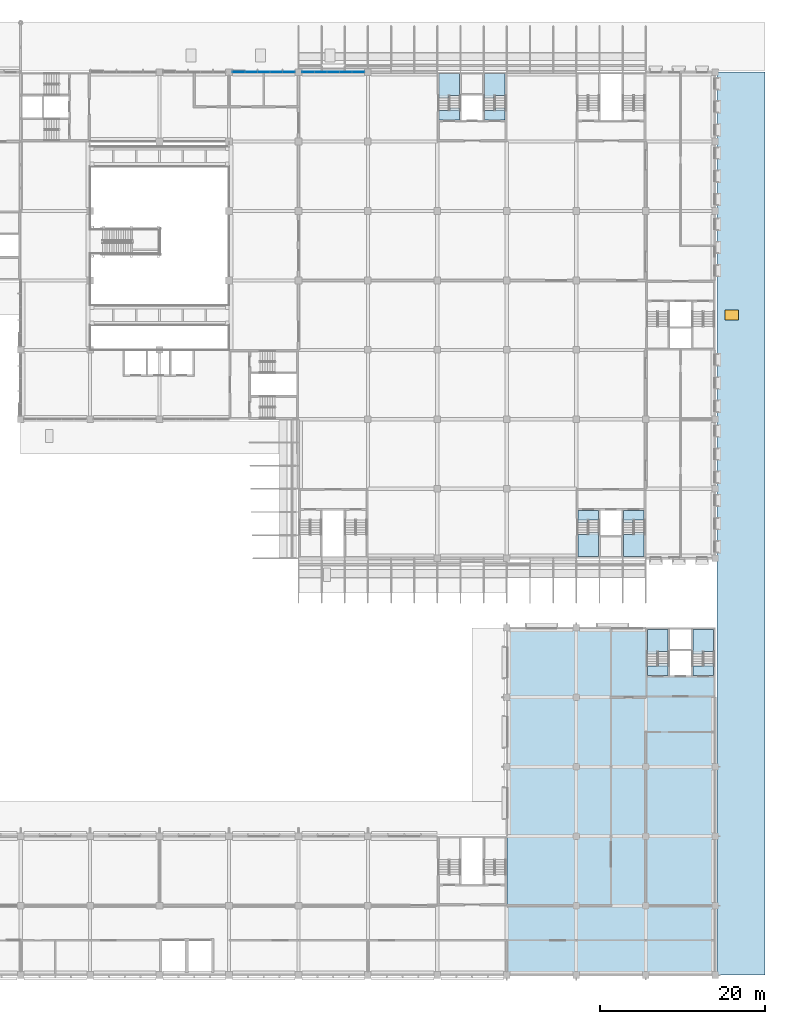
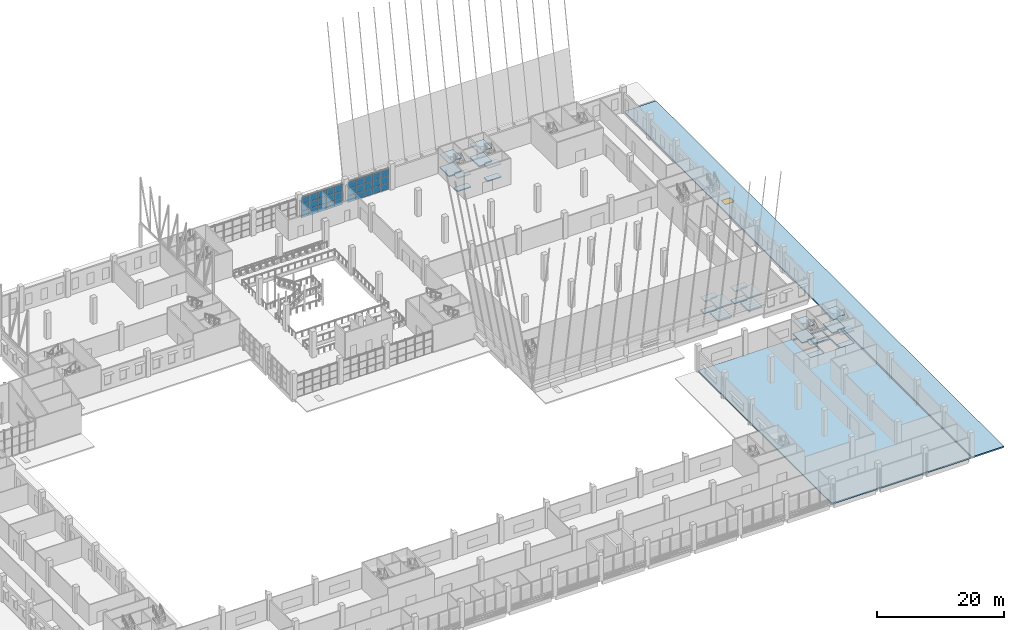
# One storey, part 26 of 101: 30 plates, 26 slabs, 1 window, 1 opening, 8 elements without a shape of their own.
"""IFC4 building model written with IfcOpenShell, lengths in metres."""

from ifc_helpers import new_model, si_unit, direction, frame, origin, origin_2d, place, context, subcontext, project, spatial, polyline, rectangle, outline, extrude, material, layer, layer_set, type_object, element, fill, aggregate, save


model = new_model("IFC4")

# Units and contexts
model_context = context("Model", 3, precision=1e-05, world=origin(), true_north=direction((0.0, 1.0)))
body_context = subcontext(model_context, "Body", "Model", "MODEL_VIEW")
ifc_project = project(units=[si_unit("LENGTHUNIT", "METRE"), si_unit("AREAUNIT", "SQUARE_METRE"), si_unit("VOLUMEUNIT", "CUBIC_METRE"), si_unit("PLANEANGLEUNIT", "RADIAN"), si_unit("MASSUNIT", "GRAM", prefix="KILO")], contexts=[model_context])

# Site, building, storey
site_placement = place(None, origin())
site = spatial("IfcSite", under=ifc_project, at=site_placement, CompositionType="ELEMENT")
building_placement = place(site_placement, origin())
building = spatial("IfcBuilding", under=site, at=building_placement, Name="Almond Square Museum", CompositionType="ELEMENT")
storey_placement = place(building_placement, frame((0.0, 0.0, 5.5)))
storey = spatial("IfcBuildingStorey", under=building, at=storey_placement, Name="L01", CompositionType="ELEMENT", Elevation=5.5)

# Slab, opening, window
ifc_material_1 = material(Name="Timber deck and membrane roofing", Category="wood")
ifc_layer_1 = layer(ifc_material_1, 0.25)
ifc_layer_set_1 = layer_set([ifc_layer_1], Name="Timber deck and membrane roofing")
slab_type_1 = type_object("IfcSlabType", Name="Arcade roof covering 250", PredefinedType="ROOF", material=ifc_layer_set_1)
slab_1_placement = place(storey_placement, frame((0.0, 0.0, -0.25)))
slab_1 = element("IfcSlab", 1, at=slab_1_placement, inside=storey, type_object=slab_type_1, Name="Roof covering Arc East", PredefinedType="ROOF", context=body_context, shape_type="SweptSolid", body=[
    extrude(outline(polyline([(163.199951171875, 0.0), (163.199951171875, 109.199951171875), (157.419921875, 109.199951171875), (157.419921875, 0.0), (163.199951171875, 0.0)])), origin(), (0.0, 0.0, 1.0), 0.25),
])
opening_placement = place(slab_1_placement, frame((159.199951171875, 79.800048828125, -0.010009765625)))
opening = element("IfcOpeningElement", 2, at=opening_placement, cuts=slab_1, Name="Opening RL310", PredefinedType="OPENING", context=body_context, shape_type="SweptSolid", body=[
    extrude(rectangle(XDim=1.60009765625, YDim=1.199951171875, at=origin_2d()), origin(), (0.0, 0.0, 1.0), 0.27001953125),
])
ifc_material_2 = material(Name="Aluminium frame and laminated glass", Category="aluminium")
window_type = type_object("IfcWindowType", Name="Entrance rooflight 1200 x 1600", PartitioningType="SINGLE_PANEL", PredefinedType="SKYLIGHT", material=ifc_material_2)
window_placement = place(opening_placement, frame((0.0, 0.0, 0.2099609375)))
window = element("IfcWindow", 3, at=window_placement, inside=storey, type_object=window_type, Name="Rooflight", OverallHeight=1.199951171875, OverallWidth=1.60009765625, PartitioningType="SINGLE_PANEL", PredefinedType="SKYLIGHT", context=body_context, shape_type="SweptSolid", body=[
    extrude(rectangle(XDim=1.60009765625, YDim=1.199951171875, at=origin_2d()), origin(), (0.0, 0.0, 1.0), 0.050048828125),
])
fill(opening, window)

# Stair, slabs
ifc_material_3 = material(Name="Concrete C40/50", Category="concrete")
stair_type = type_object("IfcStairType", Name="Exit stair 28 risers of 179 mm", PredefinedType="HALF_TURN_STAIR", material=ifc_material_3)
stair_1_placement = place(storey_placement, origin())
stair_1 = element("IfcStair", 4, at=stair_1_placement, inside=storey, type_object=stair_type, Name="L01 stair H2-1", PredefinedType="HALF_TURN_STAIR")
ifc_material_4 = material(Name="Concrete C40/50", Category="concrete")
ifc_layer_2 = layer(ifc_material_4, 0.199951171875)
ifc_layer_set_2 = layer_set([ifc_layer_2], Name="Concrete C40/50")
slab_type_2 = type_object("IfcSlabType", Name="Concrete stair landing 200", PredefinedType="LANDING", material=ifc_layer_set_2)
slab_2_placement = place(storey_placement, frame((0.0, 0.0, 1.050048828125)))
slab_2 = element("IfcSlab", 5, at=slab_2_placement, type_object=slab_type_2, Name="ST-03 landing 1", PredefinedType="LANDING", context=body_context, shape_type="SweptSolid", body=[
    extrude(outline(polyline([(140.60009765625, 53.2529296875), (140.60009765625, 50.60009765625), (143.10009765625, 50.60009765625), (143.10009765625, 53.550048828125), (141.949951171875, 53.550048828125), (141.949951171875, 53.2529296875), (140.60009765625, 53.2529296875)])), origin(), (0.0, 0.0, 1.0), 0.199951171875),
])
slab_3_placement = place(storey_placement, frame((0.0, 0.0, 2.300048828125)))
slab_3 = element("IfcSlab", 6, at=slab_3_placement, type_object=slab_type_2, Name="ST-03 landing 2", PredefinedType="LANDING", context=body_context, shape_type="SweptSolid", body=[
    extrude(outline(polyline([(140.60009765625, 56.199951171875), (140.60009765625, 55.050048828125), (140.60009765625, 54.75), (141.75, 54.75), (141.75, 55.047119140625), (143.10009765625, 55.047119140625), (143.10009765625, 56.199951171875), (140.60009765625, 56.199951171875)])), origin(), (0.0, 0.0, 1.0), 0.199951171875),
])
slab_4_placement = place(storey_placement, frame((0.0, 0.0, 3.550048828125)))
slab_4 = element("IfcSlab", 7, at=slab_4_placement, type_object=slab_type_2, Name="ST-03 landing 3", PredefinedType="LANDING", context=body_context, shape_type="SweptSolid", body=[
    extrude(outline(polyline([(140.60009765625, 53.2529296875), (140.60009765625, 50.60009765625), (143.10009765625, 50.60009765625), (143.10009765625, 53.550048828125), (141.949951171875, 53.550048828125), (141.949951171875, 53.2529296875), (140.60009765625, 53.2529296875)])), origin(), (0.0, 0.0, 1.0), 0.199951171875),
])
aggregate(stair_1, [slab_2, slab_3, slab_4])

stair_2_placement = place(storey_placement, origin())
stair_2 = element("IfcStair", 8, at=stair_2_placement, inside=storey, type_object=stair_type, Name="L01 stair H2-2", PredefinedType="HALF_TURN_STAIR")
slab_5_placement = place(storey_placement, frame((0.0, 0.0, 1.050048828125)))
slab_5 = element("IfcSlab", 9, at=slab_5_placement, type_object=slab_type_2, Name="ST-04 landing 1", PredefinedType="LANDING", context=body_context, shape_type="SweptSolid", body=[
    extrude(outline(polyline([(146.10009765625, 53.2529296875), (146.10009765625, 50.60009765625), (148.60009765625, 50.60009765625), (148.60009765625, 53.550048828125), (147.449951171875, 53.550048828125), (147.449951171875, 53.2529296875), (146.10009765625, 53.2529296875)])), origin(), (0.0, 0.0, 1.0), 0.199951171875),
])
slab_6_placement = place(storey_placement, frame((0.0, 0.0, 2.300048828125)))
slab_6 = element("IfcSlab", 10, at=slab_6_placement, type_object=slab_type_2, Name="ST-04 landing 2", PredefinedType="LANDING", context=body_context, shape_type="SweptSolid", body=[
    extrude(outline(polyline([(146.10009765625, 56.199951171875), (146.10009765625, 55.050048828125), (146.10009765625, 54.75), (147.25, 54.75), (147.25, 55.047119140625), (148.60009765625, 55.047119140625), (148.60009765625, 56.199951171875), (146.10009765625, 56.199951171875)])), origin(), (0.0, 0.0, 1.0), 0.199951171875),
])
slab_7_placement = place(storey_placement, frame((0.0, 0.0, 3.550048828125)))
slab_7 = element("IfcSlab", 11, at=slab_7_placement, type_object=slab_type_2, Name="ST-04 landing 3", PredefinedType="LANDING", context=body_context, shape_type="SweptSolid", body=[
    extrude(outline(polyline([(146.10009765625, 53.2529296875), (146.10009765625, 50.60009765625), (148.60009765625, 50.60009765625), (148.60009765625, 53.550048828125), (147.449951171875, 53.550048828125), (147.449951171875, 53.2529296875), (146.10009765625, 53.2529296875)])), origin(), (0.0, 0.0, 1.0), 0.199951171875),
])
aggregate(stair_2, [slab_5, slab_6, slab_7])

stair_3_placement = place(storey_placement, origin())
stair_3 = element("IfcStair", 12, at=stair_3_placement, inside=storey, type_object=stair_type, Name="L01 stair H4-1", PredefinedType="HALF_TURN_STAIR")
slab_8_placement = place(storey_placement, frame((0.0, 0.0, 1.050048828125)))
slab_8 = element("IfcSlab", 13, at=slab_8_placement, type_object=slab_type_2, Name="ST-07 landing 1", PredefinedType="LANDING", context=body_context, shape_type="SweptSolid", body=[
    extrude(outline(polyline([(126.300048828125, 106.346923828125), (126.300048828125, 109.0), (123.800048828125, 109.0), (123.800048828125, 106.050048828125), (124.949951171875, 106.050048828125), (124.949951171875, 106.346923828125), (126.300048828125, 106.346923828125)])), origin(), (0.0, 0.0, 1.0), 0.199951171875),
])
slab_9_placement = place(storey_placement, frame((0.0, 0.0, 2.300048828125)))
slab_9 = element("IfcSlab", 14, at=slab_9_placement, type_object=slab_type_2, Name="ST-07 landing 2", PredefinedType="LANDING", context=body_context, shape_type="SweptSolid", body=[
    extrude(outline(polyline([(126.300048828125, 103.39990234375), (126.300048828125, 104.550048828125), (126.300048828125, 104.85009765625), (125.14990234375, 104.85009765625), (125.14990234375, 104.552978515625), (123.800048828125, 104.552978515625), (123.800048828125, 103.39990234375), (126.300048828125, 103.39990234375)])), origin(), (0.0, 0.0, 1.0), 0.199951171875),
])
slab_10_placement = place(storey_placement, frame((0.0, 0.0, 3.550048828125)))
slab_10 = element("IfcSlab", 15, at=slab_10_placement, type_object=slab_type_2, Name="ST-07 landing 3", PredefinedType="LANDING", context=body_context, shape_type="SweptSolid", body=[
    extrude(outline(polyline([(126.300048828125, 106.346923828125), (126.300048828125, 109.0), (123.800048828125, 109.0), (123.800048828125, 106.050048828125), (124.949951171875, 106.050048828125), (124.949951171875, 106.346923828125), (126.300048828125, 106.346923828125)])), origin(), (0.0, 0.0, 1.0), 0.199951171875),
])
aggregate(stair_3, [slab_8, slab_9, slab_10])

stair_4_placement = place(storey_placement, origin())
stair_4 = element("IfcStair", 16, at=stair_4_placement, inside=storey, type_object=stair_type, Name="L01 stair H4-2", PredefinedType="HALF_TURN_STAIR")
slab_11_placement = place(storey_placement, frame((0.0, 0.0, 1.050048828125)))
slab_11 = element("IfcSlab", 17, at=slab_11_placement, type_object=slab_type_2, Name="ST-08 landing 1", PredefinedType="LANDING", context=body_context, shape_type="SweptSolid", body=[
    extrude(outline(polyline([(131.800048828125, 106.346923828125), (131.800048828125, 109.0), (129.300048828125, 109.0), (129.300048828125, 106.050048828125), (130.449951171875, 106.050048828125), (130.449951171875, 106.346923828125), (131.800048828125, 106.346923828125)])), origin(), (0.0, 0.0, 1.0), 0.199951171875),
])
slab_12_placement = place(storey_placement, frame((0.0, 0.0, 2.300048828125)))
slab_12 = element("IfcSlab", 18, at=slab_12_placement, type_object=slab_type_2, Name="ST-08 landing 2", PredefinedType="LANDING", context=body_context, shape_type="SweptSolid", body=[
    extrude(outline(polyline([(131.800048828125, 103.39990234375), (131.800048828125, 104.550048828125), (131.800048828125, 104.85009765625), (130.64990234375, 104.85009765625), (130.64990234375, 104.552978515625), (129.300048828125, 104.552978515625), (129.300048828125, 103.39990234375), (131.800048828125, 103.39990234375)])), origin(), (0.0, 0.0, 1.0), 0.199951171875),
])
slab_13_placement = place(storey_placement, frame((0.0, 0.0, 3.550048828125)))
slab_13 = element("IfcSlab", 19, at=slab_13_placement, type_object=slab_type_2, Name="ST-08 landing 3", PredefinedType="LANDING", context=body_context, shape_type="SweptSolid", body=[
    extrude(outline(polyline([(131.800048828125, 106.346923828125), (131.800048828125, 109.0), (129.300048828125, 109.0), (129.300048828125, 106.050048828125), (130.449951171875, 106.050048828125), (130.449951171875, 106.346923828125), (131.800048828125, 106.346923828125)])), origin(), (0.0, 0.0, 1.0), 0.199951171875),
])
aggregate(stair_4, [slab_11, slab_12, slab_13])

stair_5_placement = place(storey_placement, origin())
stair_5 = element("IfcStair", 20, at=stair_5_placement, inside=storey, type_object=stair_type, Name="L01 stair X1-1", PredefinedType="HALF_TURN_STAIR")
slab_14_placement = place(storey_placement, frame((0.0, 0.0, 1.050048828125)))
slab_14 = element("IfcSlab", 21, at=slab_14_placement, type_object=slab_type_2, Name="ST-33 landing 1", PredefinedType="LANDING", context=body_context, shape_type="SweptSolid", body=[
    extrude(outline(polyline([(151.5, 39.14697265625), (151.5, 41.800048828125), (149.0, 41.800048828125), (149.0, 38.85009765625), (150.14990234375, 38.85009765625), (150.14990234375, 39.14697265625), (151.5, 39.14697265625)])), origin(), (0.0, 0.0, 1.0), 0.199951171875),
])
slab_15_placement = place(storey_placement, frame((0.0, 0.0, 2.300048828125)))
slab_15 = element("IfcSlab", 22, at=slab_15_placement, type_object=slab_type_2, Name="ST-33 landing 2", PredefinedType="LANDING", context=body_context, shape_type="SweptSolid", body=[
    extrude(outline(polyline([(151.5, 36.199951171875), (151.5, 37.35009765625), (151.5, 37.64990234375), (150.35009765625, 37.64990234375), (150.35009765625, 37.35302734375), (149.0, 37.35302734375), (149.0, 36.199951171875), (151.5, 36.199951171875)])), origin(), (0.0, 0.0, 1.0), 0.199951171875),
])
slab_16_placement = place(storey_placement, frame((0.0, 0.0, 3.550048828125)))
slab_16 = element("IfcSlab", 23, at=slab_16_placement, type_object=slab_type_2, Name="ST-33 landing 3", PredefinedType="LANDING", context=body_context, shape_type="SweptSolid", body=[
    extrude(outline(polyline([(151.5, 39.14697265625), (151.5, 41.800048828125), (149.0, 41.800048828125), (149.0, 38.85009765625), (150.14990234375, 38.85009765625), (150.14990234375, 39.14697265625), (151.5, 39.14697265625)])), origin(), (0.0, 0.0, 1.0), 0.199951171875),
])
aggregate(stair_5, [slab_14, slab_15, slab_16])

stair_6_placement = place(storey_placement, origin())
stair_6 = element("IfcStair", 24, at=stair_6_placement, inside=storey, type_object=stair_type, Name="L01 stair X1-2", PredefinedType="HALF_TURN_STAIR")
slab_17_placement = place(storey_placement, frame((0.0, 0.0, 1.050048828125)))
slab_17 = element("IfcSlab", 25, at=slab_17_placement, type_object=slab_type_2, Name="ST-34 landing 1", PredefinedType="LANDING", context=body_context, shape_type="SweptSolid", body=[
    extrude(outline(polyline([(157.0, 39.14697265625), (157.0, 41.800048828125), (154.5, 41.800048828125), (154.5, 38.85009765625), (155.64990234375, 38.85009765625), (155.64990234375, 39.14697265625), (157.0, 39.14697265625)])), origin(), (0.0, 0.0, 1.0), 0.199951171875),
])
slab_18_placement = place(storey_placement, frame((0.0, 0.0, 2.300048828125)))
slab_18 = element("IfcSlab", 26, at=slab_18_placement, type_object=slab_type_2, Name="ST-34 landing 2", PredefinedType="LANDING", context=body_context, shape_type="SweptSolid", body=[
    extrude(outline(polyline([(157.0, 36.199951171875), (157.0, 37.35009765625), (157.0, 37.64990234375), (155.85009765625, 37.64990234375), (155.85009765625, 37.35302734375), (154.5, 37.35302734375), (154.5, 36.199951171875), (157.0, 36.199951171875)])), origin(), (0.0, 0.0, 1.0), 0.199951171875),
])
slab_19_placement = place(storey_placement, frame((0.0, 0.0, 3.550048828125)))
slab_19 = element("IfcSlab", 27, at=slab_19_placement, type_object=slab_type_2, Name="ST-34 landing 3", PredefinedType="LANDING", context=body_context, shape_type="SweptSolid", body=[
    extrude(outline(polyline([(157.0, 39.14697265625), (157.0, 41.800048828125), (154.5, 41.800048828125), (154.5, 38.85009765625), (155.64990234375, 38.85009765625), (155.64990234375, 39.14697265625), (157.0, 39.14697265625)])), origin(), (0.0, 0.0, 1.0), 0.199951171875),
])
aggregate(stair_6, [slab_17, slab_18, slab_19])

# Slabs
slab_20_placement = place(storey_placement, frame((0.0, 0.0, -0.199951171875)))
element("IfcSlab", 28, at=slab_20_placement, inside=storey, type_object=slab_type_2, Name="L01 stair H2-1 floor landing", PredefinedType="LANDING", context=body_context, shape_type="SweptSolid", body=[
    extrude(outline(polyline([(140.60009765625, 55.047119140625), (143.10009765625, 55.047119140625), (143.10009765625, 56.199951171875), (140.60009765625, 56.199951171875), (140.60009765625, 55.047119140625)])), origin(), (0.0, 0.0, 1.0), 0.199951171875),
])
slab_21_placement = place(storey_placement, frame((0.0, 0.0, -0.199951171875)))
element("IfcSlab", 29, at=slab_21_placement, inside=storey, type_object=slab_type_2, Name="L01 stair H2-2 floor landing", PredefinedType="LANDING", context=body_context, shape_type="SweptSolid", body=[
    extrude(outline(polyline([(146.10009765625, 55.047119140625), (148.60009765625, 55.047119140625), (148.60009765625, 56.199951171875), (146.10009765625, 56.199951171875), (146.10009765625, 55.047119140625)])), origin(), (0.0, 0.0, 1.0), 0.199951171875),
])
slab_22_placement = place(storey_placement, frame((0.0, 0.0, -0.199951171875)))
element("IfcSlab", 30, at=slab_22_placement, inside=storey, type_object=slab_type_2, Name="L01 stair H4-1 floor landing", PredefinedType="LANDING", context=body_context, shape_type="SweptSolid", body=[
    extrude(outline(polyline([(123.800048828125, 103.39990234375), (126.300048828125, 103.39990234375), (126.300048828125, 104.552978515625), (123.800048828125, 104.552978515625), (123.800048828125, 103.39990234375)])), origin(), (0.0, 0.0, 1.0), 0.199951171875),
])
slab_23_placement = place(storey_placement, frame((0.0, 0.0, -0.199951171875)))
element("IfcSlab", 31, at=slab_23_placement, inside=storey, type_object=slab_type_2, Name="L01 stair H4-2 floor landing", PredefinedType="LANDING", context=body_context, shape_type="SweptSolid", body=[
    extrude(outline(polyline([(129.300048828125, 103.39990234375), (131.800048828125, 103.39990234375), (131.800048828125, 104.552978515625), (129.300048828125, 104.552978515625), (129.300048828125, 103.39990234375)])), origin(), (0.0, 0.0, 1.0), 0.199951171875),
])
slab_24_placement = place(storey_placement, frame((0.0, 0.0, -0.199951171875)))
element("IfcSlab", 32, at=slab_24_placement, inside=storey, type_object=slab_type_2, Name="L01 stair X1-1 floor landing", PredefinedType="LANDING", context=body_context, shape_type="SweptSolid", body=[
    extrude(outline(polyline([(149.0, 36.199951171875), (151.5, 36.199951171875), (151.5, 37.35302734375), (149.0, 37.35302734375), (149.0, 36.199951171875)])), origin(), (0.0, 0.0, 1.0), 0.199951171875),
])
slab_25_placement = place(storey_placement, frame((0.0, 0.0, -0.199951171875)))
element("IfcSlab", 33, at=slab_25_placement, inside=storey, type_object=slab_type_2, Name="L01 stair X1-2 floor landing", PredefinedType="LANDING", context=body_context, shape_type="SweptSolid", body=[
    extrude(outline(polyline([(154.5, 36.199951171875), (157.0, 36.199951171875), (157.0, 37.35302734375), (154.5, 37.35302734375), (154.5, 36.199951171875)])), origin(), (0.0, 0.0, 1.0), 0.199951171875),
])

# Curtain wall, plates
ifc_material_5 = material(Name="Aluminium and laminated glass", Category="aluminium")
curtain_wall_type = type_object("IfcCurtainWallType", Name="Unitised curtain wall 1500 module", PredefinedType="NOTDEFINED", material=ifc_material_5)
curtain_wall_1_placement = place(storey_placement, origin())
curtain_wall_1 = element("IfcCurtainWall", 34, at=curtain_wall_1_placement, inside=storey, type_object=curtain_wall_type, Name="Curtain wall CW-07", PredefinedType="NOTDEFINED")
ifc_material_6 = material(Name="Laminated hurricane-rated glass", Category="glass")
ifc_layer_3 = layer(ifc_material_6, 0.035888671875)
ifc_layer_set_3 = layer_set([ifc_layer_3], Name="Laminated hurricane-rated glass")
plate_type = type_object("IfcPlateType", Name="Laminated glass panel 36", PredefinedType="CURTAIN_PANEL", material=ifc_layer_set_3)
plate_1_placement = place(storey_placement, frame((107.97509765625, 109.199951171875, 0.06005859375), z_axis=(0.0, 0.0, 1.0), x_axis=(1.0, 0.0, 0.0)))
plate_1 = element("IfcPlate", 35, at=plate_1_placement, type_object=plate_type, Name="CW-07 panel 1.1", PredefinedType="CURTAIN_PANEL", context=body_context, shape_type="SweptSolid", body=[
    extrude(rectangle(XDim=1.429931640625, YDim=0.035888671875, at=origin_2d()), origin(), (0.0, 0.0, 1.0), 1.260009765625),
])
plate_2_placement = place(storey_placement, frame((107.97509765625, 109.199951171875, 1.3798828125), z_axis=(0.0, 0.0, 1.0), x_axis=(1.0, 0.0, 0.0)))
plate_2 = element("IfcPlate", 36, at=plate_2_placement, type_object=plate_type, Name="CW-07 panel 1.2", PredefinedType="CURTAIN_PANEL", context=body_context, shape_type="SweptSolid", body=[
    extrude(rectangle(XDim=1.429931640625, YDim=0.035888671875, at=origin_2d()), origin(), (0.0, 0.0, 1.0), 1.2900390625),
])
plate_3_placement = place(storey_placement, frame((107.97509765625, 109.199951171875, 2.72998046875), z_axis=(0.0, 0.0, 1.0), x_axis=(1.0, 0.0, 0.0)))
plate_3 = element("IfcPlate", 37, at=plate_3_placement, type_object=plate_type, Name="CW-07 panel 1.3", PredefinedType="CURTAIN_PANEL", context=body_context, shape_type="SweptSolid", body=[
    extrude(rectangle(XDim=1.429931640625, YDim=0.035888671875, at=origin_2d()), origin(), (0.0, 0.0, 1.0), 1.260009765625),
])
plate_4_placement = place(storey_placement, frame((109.47998046875, 109.199951171875, 0.06005859375), z_axis=(0.0, 0.0, 1.0), x_axis=(1.0, 0.0, 0.0)))
plate_4 = element("IfcPlate", 38, at=plate_4_placement, type_object=plate_type, Name="CW-07 panel 2.1", PredefinedType="CURTAIN_PANEL", context=body_context, shape_type="SweptSolid", body=[
    extrude(rectangle(XDim=1.4599609375, YDim=0.035888671875, at=origin_2d()), origin(), (0.0, 0.0, 1.0), 1.260009765625),
])
plate_5_placement = place(storey_placement, frame((109.47998046875, 109.199951171875, 1.3798828125), z_axis=(0.0, 0.0, 1.0), x_axis=(1.0, 0.0, 0.0)))
plate_5 = element("IfcPlate", 39, at=plate_5_placement, type_object=plate_type, Name="CW-07 panel 2.2", PredefinedType="CURTAIN_PANEL", context=body_context, shape_type="SweptSolid", body=[
    extrude(rectangle(XDim=1.4599609375, YDim=0.035888671875, at=origin_2d()), origin(), (0.0, 0.0, 1.0), 1.2900390625),
])
plate_6_placement = place(storey_placement, frame((109.47998046875, 109.199951171875, 2.72998046875), z_axis=(0.0, 0.0, 1.0), x_axis=(1.0, 0.0, 0.0)))
plate_6 = element("IfcPlate", 40, at=plate_6_placement, type_object=plate_type, Name="CW-07 panel 2.3", PredefinedType="CURTAIN_PANEL", context=body_context, shape_type="SweptSolid", body=[
    extrude(rectangle(XDim=1.4599609375, YDim=0.035888671875, at=origin_2d()), origin(), (0.0, 0.0, 1.0), 1.260009765625),
])
plate_7_placement = place(storey_placement, frame((111.0, 109.199951171875, 0.06005859375), z_axis=(0.0, 0.0, 1.0), x_axis=(1.0, 0.0, 0.0)))
plate_7 = element("IfcPlate", 41, at=plate_7_placement, type_object=plate_type, Name="CW-07 panel 3.1", PredefinedType="CURTAIN_PANEL", context=body_context, shape_type="SweptSolid", body=[
    extrude(rectangle(XDim=1.4599609375, YDim=0.035888671875, at=origin_2d()), origin(), (0.0, 0.0, 1.0), 1.260009765625),
])
plate_8_placement = place(storey_placement, frame((111.0, 109.199951171875, 1.3798828125), z_axis=(0.0, 0.0, 1.0), x_axis=(1.0, 0.0, 0.0)))
plate_8 = element("IfcPlate", 42, at=plate_8_placement, type_object=plate_type, Name="CW-07 panel 3.2", PredefinedType="CURTAIN_PANEL", context=body_context, shape_type="SweptSolid", body=[
    extrude(rectangle(XDim=1.4599609375, YDim=0.035888671875, at=origin_2d()), origin(), (0.0, 0.0, 1.0), 1.2900390625),
])
plate_9_placement = place(storey_placement, frame((111.0, 109.199951171875, 2.72998046875), z_axis=(0.0, 0.0, 1.0), x_axis=(1.0, 0.0, 0.0)))
plate_9 = element("IfcPlate", 43, at=plate_9_placement, type_object=plate_type, Name="CW-07 panel 3.3", PredefinedType="CURTAIN_PANEL", context=body_context, shape_type="SweptSolid", body=[
    extrude(rectangle(XDim=1.4599609375, YDim=0.035888671875, at=origin_2d()), origin(), (0.0, 0.0, 1.0), 1.260009765625),
])
plate_10_placement = place(storey_placement, frame((112.52001953125, 109.199951171875, 0.06005859375), z_axis=(0.0, 0.0, 1.0), x_axis=(1.0, 0.0, 0.0)))
plate_10 = element("IfcPlate", 44, at=plate_10_placement, type_object=plate_type, Name="CW-07 panel 4.1", PredefinedType="CURTAIN_PANEL", context=body_context, shape_type="SweptSolid", body=[
    extrude(rectangle(XDim=1.4599609375, YDim=0.035888671875, at=origin_2d()), origin(), (0.0, 0.0, 1.0), 1.260009765625),
])
plate_11_placement = place(storey_placement, frame((112.52001953125, 109.199951171875, 1.3798828125), z_axis=(0.0, 0.0, 1.0), x_axis=(1.0, 0.0, 0.0)))
plate_11 = element("IfcPlate", 45, at=plate_11_placement, type_object=plate_type, Name="CW-07 panel 4.2", PredefinedType="CURTAIN_PANEL", context=body_context, shape_type="SweptSolid", body=[
    extrude(rectangle(XDim=1.4599609375, YDim=0.035888671875, at=origin_2d()), origin(), (0.0, 0.0, 1.0), 1.2900390625),
])
plate_12_placement = place(storey_placement, frame((112.52001953125, 109.199951171875, 2.72998046875), z_axis=(0.0, 0.0, 1.0), x_axis=(1.0, 0.0, 0.0)))
plate_12 = element("IfcPlate", 46, at=plate_12_placement, type_object=plate_type, Name="CW-07 panel 4.3", PredefinedType="CURTAIN_PANEL", context=body_context, shape_type="SweptSolid", body=[
    extrude(rectangle(XDim=1.4599609375, YDim=0.035888671875, at=origin_2d()), origin(), (0.0, 0.0, 1.0), 1.260009765625),
])
plate_13_placement = place(storey_placement, frame((114.02490234375, 109.199951171875, 0.06005859375), z_axis=(0.0, 0.0, 1.0), x_axis=(1.0, 0.0, 0.0)))
plate_13 = element("IfcPlate", 47, at=plate_13_placement, type_object=plate_type, Name="CW-07 panel 5.1", PredefinedType="CURTAIN_PANEL", context=body_context, shape_type="SweptSolid", body=[
    extrude(rectangle(XDim=1.429931640625, YDim=0.035888671875, at=origin_2d()), origin(), (0.0, 0.0, 1.0), 1.260009765625),
])
plate_14_placement = place(storey_placement, frame((114.02490234375, 109.199951171875, 1.3798828125), z_axis=(0.0, 0.0, 1.0), x_axis=(1.0, 0.0, 0.0)))
plate_14 = element("IfcPlate", 48, at=plate_14_placement, type_object=plate_type, Name="CW-07 panel 5.2", PredefinedType="CURTAIN_PANEL", context=body_context, shape_type="SweptSolid", body=[
    extrude(rectangle(XDim=1.429931640625, YDim=0.035888671875, at=origin_2d()), origin(), (0.0, 0.0, 1.0), 1.2900390625),
])
plate_15_placement = place(storey_placement, frame((114.02490234375, 109.199951171875, 2.72998046875), z_axis=(0.0, 0.0, 1.0), x_axis=(1.0, 0.0, 0.0)))
plate_15 = element("IfcPlate", 49, at=plate_15_placement, type_object=plate_type, Name="CW-07 panel 5.3", PredefinedType="CURTAIN_PANEL", context=body_context, shape_type="SweptSolid", body=[
    extrude(rectangle(XDim=1.429931640625, YDim=0.035888671875, at=origin_2d()), origin(), (0.0, 0.0, 1.0), 1.260009765625),
])
aggregate(curtain_wall_1, [plate_1, plate_2, plate_3, plate_4, plate_5, plate_6, plate_7, plate_8, plate_9, plate_10, plate_11, plate_12, plate_13, plate_14, plate_15])

curtain_wall_2_placement = place(storey_placement, origin())
curtain_wall_2 = element("IfcCurtainWall", 50, at=curtain_wall_2_placement, inside=storey, type_object=curtain_wall_type, Name="Curtain wall CW-08", PredefinedType="NOTDEFINED")
plate_16_placement = place(storey_placement, frame((99.574951171875, 109.199951171875, 0.06005859375), z_axis=(0.0, 0.0, 1.0), x_axis=(1.0, 0.0, 0.0)))
plate_16 = element("IfcPlate", 51, at=plate_16_placement, type_object=plate_type, Name="CW-08 panel 1.1", PredefinedType="CURTAIN_PANEL", context=body_context, shape_type="SweptSolid", body=[
    extrude(rectangle(XDim=1.429931640625, YDim=0.035888671875, at=origin_2d()), origin(), (0.0, 0.0, 1.0), 1.260009765625),
])
plate_17_placement = place(storey_placement, frame((99.574951171875, 109.199951171875, 1.3798828125), z_axis=(0.0, 0.0, 1.0), x_axis=(1.0, 0.0, 0.0)))
plate_17 = element("IfcPlate", 52, at=plate_17_placement, type_object=plate_type, Name="CW-08 panel 1.2", PredefinedType="CURTAIN_PANEL", context=body_context, shape_type="SweptSolid", body=[
    extrude(rectangle(XDim=1.429931640625, YDim=0.035888671875, at=origin_2d()), origin(), (0.0, 0.0, 1.0), 1.2900390625),
])
plate_18_placement = place(storey_placement, frame((99.574951171875, 109.199951171875, 2.72998046875), z_axis=(0.0, 0.0, 1.0), x_axis=(1.0, 0.0, 0.0)))
plate_18 = element("IfcPlate", 53, at=plate_18_placement, type_object=plate_type, Name="CW-08 panel 1.3", PredefinedType="CURTAIN_PANEL", context=body_context, shape_type="SweptSolid", body=[
    extrude(rectangle(XDim=1.429931640625, YDim=0.035888671875, at=origin_2d()), origin(), (0.0, 0.0, 1.0), 1.260009765625),
])
plate_19_placement = place(storey_placement, frame((101.080078125, 109.199951171875, 0.06005859375), z_axis=(0.0, 0.0, 1.0), x_axis=(1.0, 0.0, 0.0)))
plate_19 = element("IfcPlate", 54, at=plate_19_placement, type_object=plate_type, Name="CW-08 panel 2.1", PredefinedType="CURTAIN_PANEL", context=body_context, shape_type="SweptSolid", body=[
    extrude(rectangle(XDim=1.4599609375, YDim=0.035888671875, at=origin_2d()), origin(), (0.0, 0.0, 1.0), 1.260009765625),
])
plate_20_placement = place(storey_placement, frame((101.080078125, 109.199951171875, 1.3798828125), z_axis=(0.0, 0.0, 1.0), x_axis=(1.0, 0.0, 0.0)))
plate_20 = element("IfcPlate", 55, at=plate_20_placement, type_object=plate_type, Name="CW-08 panel 2.2", PredefinedType="CURTAIN_PANEL", context=body_context, shape_type="SweptSolid", body=[
    extrude(rectangle(XDim=1.4599609375, YDim=0.035888671875, at=origin_2d()), origin(), (0.0, 0.0, 1.0), 1.2900390625),
])
plate_21_placement = place(storey_placement, frame((101.080078125, 109.199951171875, 2.72998046875), z_axis=(0.0, 0.0, 1.0), x_axis=(1.0, 0.0, 0.0)))
plate_21 = element("IfcPlate", 56, at=plate_21_placement, type_object=plate_type, Name="CW-08 panel 2.3", PredefinedType="CURTAIN_PANEL", context=body_context, shape_type="SweptSolid", body=[
    extrude(rectangle(XDim=1.4599609375, YDim=0.035888671875, at=origin_2d()), origin(), (0.0, 0.0, 1.0), 1.260009765625),
])
plate_22_placement = place(storey_placement, frame((102.60009765625, 109.199951171875, 0.06005859375), z_axis=(0.0, 0.0, 1.0), x_axis=(1.0, 0.0, 0.0)))
plate_22 = element("IfcPlate", 57, at=plate_22_placement, type_object=plate_type, Name="CW-08 panel 3.1", PredefinedType="CURTAIN_PANEL", context=body_context, shape_type="SweptSolid", body=[
    extrude(rectangle(XDim=1.4599609375, YDim=0.035888671875, at=origin_2d()), origin(), (0.0, 0.0, 1.0), 1.260009765625),
])
plate_23_placement = place(storey_placement, frame((102.60009765625, 109.199951171875, 1.3798828125), z_axis=(0.0, 0.0, 1.0), x_axis=(1.0, 0.0, 0.0)))
plate_23 = element("IfcPlate", 58, at=plate_23_placement, type_object=plate_type, Name="CW-08 panel 3.2", PredefinedType="CURTAIN_PANEL", context=body_context, shape_type="SweptSolid", body=[
    extrude(rectangle(XDim=1.4599609375, YDim=0.035888671875, at=origin_2d()), origin(), (0.0, 0.0, 1.0), 1.2900390625),
])
plate_24_placement = place(storey_placement, frame((102.60009765625, 109.199951171875, 2.72998046875), z_axis=(0.0, 0.0, 1.0), x_axis=(1.0, 0.0, 0.0)))
plate_24 = element("IfcPlate", 59, at=plate_24_placement, type_object=plate_type, Name="CW-08 panel 3.3", PredefinedType="CURTAIN_PANEL", context=body_context, shape_type="SweptSolid", body=[
    extrude(rectangle(XDim=1.4599609375, YDim=0.035888671875, at=origin_2d()), origin(), (0.0, 0.0, 1.0), 1.260009765625),
])
plate_25_placement = place(storey_placement, frame((104.1201171875, 109.199951171875, 0.06005859375), z_axis=(0.0, 0.0, 1.0), x_axis=(1.0, 0.0, 0.0)))
plate_25 = element("IfcPlate", 60, at=plate_25_placement, type_object=plate_type, Name="CW-08 panel 4.1", PredefinedType="CURTAIN_PANEL", context=body_context, shape_type="SweptSolid", body=[
    extrude(rectangle(XDim=1.4599609375, YDim=0.035888671875, at=origin_2d()), origin(), (0.0, 0.0, 1.0), 1.260009765625),
])
plate_26_placement = place(storey_placement, frame((104.1201171875, 109.199951171875, 1.3798828125), z_axis=(0.0, 0.0, 1.0), x_axis=(1.0, 0.0, 0.0)))
plate_26 = element("IfcPlate", 61, at=plate_26_placement, type_object=plate_type, Name="CW-08 panel 4.2", PredefinedType="CURTAIN_PANEL", context=body_context, shape_type="SweptSolid", body=[
    extrude(rectangle(XDim=1.4599609375, YDim=0.035888671875, at=origin_2d()), origin(), (0.0, 0.0, 1.0), 1.2900390625),
])
plate_27_placement = place(storey_placement, frame((104.1201171875, 109.199951171875, 2.72998046875), z_axis=(0.0, 0.0, 1.0), x_axis=(1.0, 0.0, 0.0)))
plate_27 = element("IfcPlate", 62, at=plate_27_placement, type_object=plate_type, Name="CW-08 panel 4.3", PredefinedType="CURTAIN_PANEL", context=body_context, shape_type="SweptSolid", body=[
    extrude(rectangle(XDim=1.4599609375, YDim=0.035888671875, at=origin_2d()), origin(), (0.0, 0.0, 1.0), 1.260009765625),
])
plate_28_placement = place(storey_placement, frame((105.625, 109.199951171875, 0.06005859375), z_axis=(0.0, 0.0, 1.0), x_axis=(1.0, 0.0, 0.0)))
plate_28 = element("IfcPlate", 63, at=plate_28_placement, type_object=plate_type, Name="CW-08 panel 5.1", PredefinedType="CURTAIN_PANEL", context=body_context, shape_type="SweptSolid", body=[
    extrude(rectangle(XDim=1.429931640625, YDim=0.035888671875, at=origin_2d()), origin(), (0.0, 0.0, 1.0), 1.260009765625),
])
plate_29_placement = place(storey_placement, frame((105.625, 109.199951171875, 1.3798828125), z_axis=(0.0, 0.0, 1.0), x_axis=(1.0, 0.0, 0.0)))
plate_29 = element("IfcPlate", 64, at=plate_29_placement, type_object=plate_type, Name="CW-08 panel 5.2", PredefinedType="CURTAIN_PANEL", context=body_context, shape_type="SweptSolid", body=[
    extrude(rectangle(XDim=1.429931640625, YDim=0.035888671875, at=origin_2d()), origin(), (0.0, 0.0, 1.0), 1.2900390625),
])
plate_30_placement = place(storey_placement, frame((105.625, 109.199951171875, 2.72998046875), z_axis=(0.0, 0.0, 1.0), x_axis=(1.0, 0.0, 0.0)))
plate_30 = element("IfcPlate", 65, at=plate_30_placement, type_object=plate_type, Name="CW-08 panel 5.3", PredefinedType="CURTAIN_PANEL", context=body_context, shape_type="SweptSolid", body=[
    extrude(rectangle(XDim=1.429931640625, YDim=0.035888671875, at=origin_2d()), origin(), (0.0, 0.0, 1.0), 1.260009765625),
])
aggregate(curtain_wall_2, [plate_16, plate_17, plate_18, plate_19, plate_20, plate_21, plate_22, plate_23, plate_24, plate_25, plate_26, plate_27, plate_28, plate_29, plate_30])

# Slab
ifc_material_7 = material(Name="Concrete C40/50", Category="concrete")
ifc_layer_4 = layer(ifc_material_7, 0.25)
ifc_layer_set_4 = layer_set([ifc_layer_4], Name="Concrete C40/50")
slab_type_3 = type_object("IfcSlabType", Name="RC floor slab 250 C40/50", PredefinedType="FLOOR", material=ifc_layer_set_4)
slab_26_placement = place(storey_placement, frame((0.0, 0.0, -0.25)))
element("IfcSlab", 66, at=slab_26_placement, inside=storey, type_object=slab_type_3, Name="Floor slab L01 V5E", PredefinedType="FLOOR", context=body_context, shape_type="SweptSolid", body=[
    extrude(outline(polyline([(132.0, 16.800048828125), (132.0, 42.0), (157.199951171875, 42.0), (157.199951171875, 0.0), (132.0, 0.0), (132.0, 16.800048828125)]), holes=[polyline([(151.699951171875, 36.199951171875), (154.300048828125, 36.199951171875), (154.300048828125, 39.199951171875), (151.699951171875, 39.199951171875), (151.699951171875, 36.199951171875)]), polyline([(157.0, 36.199951171875), (157.0, 41.800048828125), (154.5, 41.800048828125), (154.5, 36.199951171875), (157.0, 36.199951171875)]), polyline([(149.0, 36.199951171875), (151.5, 36.199951171875), (151.5, 41.800048828125), (149.0, 41.800048828125), (149.0, 36.199951171875)]), polyline([(151.699951171875, 39.39990234375), (154.300048828125, 39.39990234375), (154.300048828125, 41.800048828125), (151.699951171875, 41.800048828125), (151.699951171875, 39.39990234375)])]), origin(), (0.0, 0.0, 1.0), 0.25),
])

save(model, "model.ifc")
